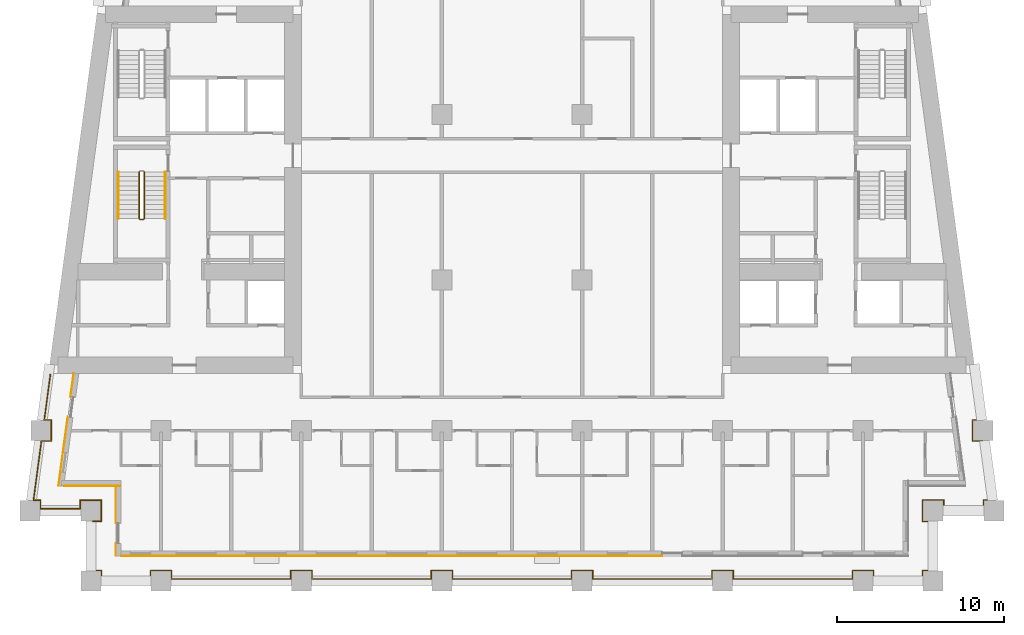
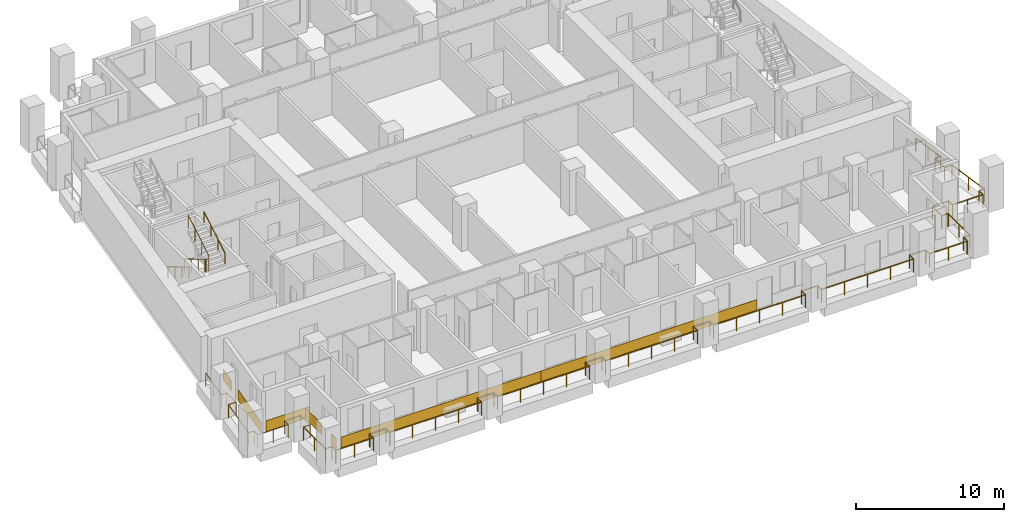
# One storey, part 10 of 14: 7 coverings, 5 railings.
"""IFC4 building model written with IfcOpenShell, lengths in metres."""

from ifc_helpers import new_model, si_unit, direction, frame, origin, origin_2d, place, context, subcontext, project, spatial, rectangle, circle, extrude, material, layer, layer_set, type_object, element, save


model = new_model("IFC4")

# Units and contexts
model_context = context("Model", 3, precision=1e-05, world=origin(), true_north=direction((0.0, 1.0)))
body_context = subcontext(model_context, "Body", "Model", "MODEL_VIEW")
ifc_project = project(units=[si_unit("LENGTHUNIT", "METRE"), si_unit("AREAUNIT", "SQUARE_METRE"), si_unit("VOLUMEUNIT", "CUBIC_METRE"), si_unit("PLANEANGLEUNIT", "RADIAN"), si_unit("MASSUNIT", "GRAM", prefix="KILO")], contexts=[model_context])

# Site, building, storey
site_placement = place(None, origin())
site = spatial("IfcSite", under=ifc_project, at=site_placement, CompositionType="ELEMENT")
building_placement = place(site_placement, origin())
building = spatial("IfcBuilding", under=site, at=building_placement, Name="Candeia Pilgrim Tower and Theatre", CompositionType="ELEMENT")
storey_placement = place(building_placement, frame((0.0, 0.0, 124.300048828125)))
storey = spatial("IfcBuildingStorey", under=building, at=storey_placement, Name="L29", CompositionType="ELEMENT", Elevation=124.300048828125)

# Railings
ifc_material_1 = material(Name="Stainless steel balustrade", Category="steel")
railing_type_1 = type_object("IfcRailingType", Name="G1 loggia guard 1100", PredefinedType="GUARDRAIL", material=ifc_material_1)
railing_1_placement = place(storey_placement, frame((88.320068359375, 101.570068359375, 0.0)))
element("IfcRailing", 1, at=railing_1_placement, inside=storey, type_object=railing_type_1, Name="Guard L29.1", PredefinedType="GUARDRAIL", context=body_context, shape_type="SweptSolid", body=[
    extrude(circle(Radius=0.02392578125, at=origin_2d()), frame((0.0, 0.0, 1.076171875), z_axis=(1.0, 0.0, 0.0), x_axis=(0.0, 1.0, 0.0)), (0.0, 0.0, 1.0), 0.510009765625),
    extrude(circle(Radius=0.02392578125, at=origin_2d()), frame((0.510009765625, 0.0, 1.076171875), z_axis=(0.0, 1.0, 0.0), x_axis=(-1.0, 0.0, 0.0)), (0.0, 0.0, 1.0), 1.260009765625),
    extrude(circle(Radius=0.02392578125, at=origin_2d()), frame((0.510009765625, 1.260009765625, 1.076171875), z_axis=(-1.0, 0.0, 0.0), x_axis=(0.0, -1.0, 0.0)), (0.0, 0.0, 1.0), 1.260009765625),
    extrude(circle(Radius=0.02392578125, at=origin_2d()), frame((-0.75, 1.260009765625, 1.076171875), z_axis=(0.0, -1.0, 0.0), x_axis=(1.0, 0.0, 0.0)), (0.0, 0.0, 1.0), 0.510009765625),
    extrude(circle(Radius=0.02392578125, at=origin_2d()), frame((-0.75, 0.75, 1.076171875), z_axis=(-1.0, 0.0, 0.0), x_axis=(0.0, -1.0, 0.0)), (0.0, 0.0, 1.0), 2.374755859375),
    extrude(circle(Radius=0.02392578125, at=origin_2d()), frame((-3.124755859375, 0.75, 1.076171875), z_axis=(0.0, 1.0, 0.0), x_axis=(-1.0, 0.0, 0.0)), (0.0, 0.0, 1.0), 0.510009765625),
    extrude(circle(Radius=0.02392578125, at=origin_2d()), frame((-3.124755859375, 1.260009765625, 1.076171875), z_axis=(-1.0, 0.0, 0.0), x_axis=(0.0, -1.0, 0.0)), (0.0, 0.0, 1.0), 0.424072265625),
    extrude(circle(Radius=0.02392578125, at=origin_2d()), frame((-3.548828125, 1.260009765625, 1.076171875), z_axis=(0.133417176173, 0.991059966451, 0.0), x_axis=(-0.991059966451, 0.133417176173, 0.0)), (0.0, 0.0, 1.0), 3.572021484375),
    extrude(circle(Radius=0.02392578125, at=origin_2d()), frame((-3.072265625, 4.800048828125, 1.076171875), z_axis=(1.0, 0.0, 0.0), x_axis=(0.0, 1.0, 0.0)), (0.0, 0.0, 1.0), 0.59375),
    extrude(circle(Radius=0.02392578125, at=origin_2d()), frame((-2.478515625, 4.800048828125, 1.076171875), z_axis=(0.0, 1.0, 0.0), x_axis=(-1.0, 0.0, 0.0)), (0.0, 0.0, 1.0), 1.259765625),
    extrude(circle(Radius=0.02392578125, at=origin_2d()), frame((-2.478515625, 6.059814453125, 1.076171875), z_axis=(-1.0, 0.0, 0.0), x_axis=(0.0, -1.0, 0.0)), (0.0, 0.0, 1.0), 0.424072265625),
    extrude(circle(Radius=0.02392578125, at=origin_2d()), frame((-2.902587890625, 6.059814453125, 1.076171875), z_axis=(0.1334220927, 0.991059304572, 0.0), x_axis=(-0.991059304572, 0.1334220927, 0.0)), (0.0, 0.0, 1.0), 2.744873046875),
    extrude(circle(Radius=0.02099609375, at=origin_2d()), origin(), (0.0, 0.0, 1.0), 1.052001953125),
    extrude(circle(Radius=0.02099609375, at=origin_2d()), frame((0.510009765625, 0.0, 0.0)), (0.0, 0.0, 1.0), 1.052001953125),
    extrude(circle(Radius=0.02099609375, at=origin_2d()), frame((0.510009765625, 1.260009765625, 0.0)), (0.0, 0.0, 1.0), 1.052001953125),
    extrude(circle(Radius=0.02099609375, at=origin_2d()), frame((-0.75, 1.260009765625, 0.0)), (0.0, 0.0, 1.0), 1.052001953125),
    extrude(circle(Radius=0.02099609375, at=origin_2d()), frame((-0.75, 0.75, 0.0)), (0.0, 0.0, 1.0), 1.052001953125),
    extrude(circle(Radius=0.02099609375, at=origin_2d()), frame((-1.9375, 0.75, 0.0)), (0.0, 0.0, 1.0), 1.052001953125),
    extrude(circle(Radius=0.02099609375, at=origin_2d()), frame((-3.124755859375, 0.75, 0.0)), (0.0, 0.0, 1.0), 1.052001953125),
    extrude(circle(Radius=0.02099609375, at=origin_2d()), frame((-3.124755859375, 1.260009765625, 0.0)), (0.0, 0.0, 1.0), 1.052001953125),
    extrude(circle(Radius=0.02099609375, at=origin_2d()), frame((-3.548828125, 1.260009765625, 0.0)), (0.0, 0.0, 1.0), 1.052001953125),
    extrude(circle(Radius=0.02099609375, at=origin_2d()), frame((-3.310546875, 3.030029296875, 0.0)), (0.0, 0.0, 1.0), 1.052001953125),
    extrude(circle(Radius=0.02099609375, at=origin_2d()), frame((-3.072265625, 4.800048828125, 0.0)), (0.0, 0.0, 1.0), 1.052001953125),
    extrude(circle(Radius=0.02099609375, at=origin_2d()), frame((-2.478515625, 4.800048828125, 0.0)), (0.0, 0.0, 1.0), 1.052001953125),
    extrude(circle(Radius=0.02099609375, at=origin_2d()), frame((-2.478515625, 6.059814453125, 0.0)), (0.0, 0.0, 1.0), 1.052001953125),
    extrude(circle(Radius=0.02099609375, at=origin_2d()), frame((-2.902587890625, 6.059814453125, 0.0)), (0.0, 0.0, 1.0), 1.052001953125),
    extrude(circle(Radius=0.02099609375, at=origin_2d()), frame((-2.719482421875, 7.419921875, 0.0)), (0.0, 0.0, 1.0), 1.052001953125),
    extrude(circle(Radius=0.02099609375, at=origin_2d()), frame((-2.536376953125, 8.780029296875, 0.0)), (0.0, 0.0, 1.0), 1.052001953125),
])
railing_2_placement = place(storey_placement, frame((141.016357421875, 110.35009765625, 0.0)))
element("IfcRailing", 2, at=railing_2_placement, inside=storey, type_object=railing_type_1, Name="Guard L29.4", PredefinedType="GUARDRAIL", context=body_context, shape_type="SweptSolid", body=[
    extrude(circle(Radius=0.02392578125, at=origin_2d()), frame((0.0, 0.0, 1.076171875), z_axis=(0.1334220927, -0.991059304572, 0.0), x_axis=(0.991059304572, 0.1334220927, 0.0)), (0.0, 0.0, 1.0), 2.744873046875),
    extrude(circle(Radius=0.02392578125, at=origin_2d()), frame((0.3662109375, -2.72021484375, 1.076171875), z_axis=(-1.0, 0.0, 0.0), x_axis=(0.0, -1.0, 0.0)), (0.0, 0.0, 1.0), 0.424072265625),
    extrude(circle(Radius=0.02392578125, at=origin_2d()), frame((-0.057861328125, -2.72021484375, 1.076171875), z_axis=(0.0, -1.0, 0.0), x_axis=(1.0, 0.0, 0.0)), (0.0, 0.0, 1.0), 1.259765625),
    extrude(circle(Radius=0.02392578125, at=origin_2d()), frame((-0.057861328125, -3.97998046875, 1.076171875), z_axis=(1.0, 0.0, 0.0), x_axis=(0.0, 1.0, 0.0)), (0.0, 0.0, 1.0), 0.59375),
    extrude(circle(Radius=0.02392578125, at=origin_2d()), frame((0.535888671875, -3.97998046875, 1.076171875), z_axis=(0.133417176173, -0.991059966451, 0.0), x_axis=(0.991059966451, 0.133417176173, 0.0)), (0.0, 0.0, 1.0), 3.572021484375),
    extrude(circle(Radius=0.02392578125, at=origin_2d()), frame((1.012451171875, -7.52001953125, 1.076171875), z_axis=(-1.0, 0.0, 0.0), x_axis=(0.0, -1.0, 0.0)), (0.0, 0.0, 1.0), 0.424072265625),
    extrude(circle(Radius=0.02392578125, at=origin_2d()), frame((0.58837890625, -7.52001953125, 1.076171875), z_axis=(0.0, -1.0, 0.0), x_axis=(1.0, 0.0, 0.0)), (0.0, 0.0, 1.0), 0.510009765625),
    extrude(circle(Radius=0.02392578125, at=origin_2d()), frame((0.58837890625, -8.030029296875, 1.076171875), z_axis=(-1.0, 0.0, 0.0), x_axis=(0.0, -1.0, 0.0)), (0.0, 0.0, 1.0), 2.374755859375),
    extrude(circle(Radius=0.02392578125, at=origin_2d()), frame((-1.786376953125, -8.030029296875, 1.076171875), z_axis=(0.0, 1.0, 0.0), x_axis=(-1.0, 0.0, 0.0)), (0.0, 0.0, 1.0), 0.510009765625),
    extrude(circle(Radius=0.02392578125, at=origin_2d()), frame((-1.786376953125, -7.52001953125, 1.076171875), z_axis=(-1.0, 0.0, 0.0), x_axis=(0.0, -1.0, 0.0)), (0.0, 0.0, 1.0), 1.260009765625),
    extrude(circle(Radius=0.02392578125, at=origin_2d()), frame((-3.04638671875, -7.52001953125, 1.076171875), z_axis=(0.0, -1.0, 0.0), x_axis=(1.0, 0.0, 0.0)), (0.0, 0.0, 1.0), 1.260009765625),
    extrude(circle(Radius=0.02392578125, at=origin_2d()), frame((-3.04638671875, -8.780029296875, 1.076171875), z_axis=(1.0, 0.0, 0.0), x_axis=(0.0, 1.0, 0.0)), (0.0, 0.0, 1.0), 0.510009765625),
    extrude(circle(Radius=0.02392578125, at=origin_2d()), frame((-2.536376953125, -8.780029296875, 1.076171875), z_axis=(0.0, -1.0, 0.0), x_axis=(1.0, 0.0, 0.0)), (0.0, 0.0, 1.0), 2.940185546875),
    extrude(circle(Radius=0.02392578125, at=origin_2d()), frame((-2.536376953125, -11.72021484375, 1.076171875), z_axis=(-1.0, 0.0, 0.0), x_axis=(0.0, -1.0, 0.0)), (0.0, 0.0, 1.0), 0.510009765625),
    extrude(circle(Radius=0.02392578125, at=origin_2d()), frame((-3.04638671875, -11.72021484375, 1.076171875), z_axis=(0.0, -1.0, 0.0), x_axis=(1.0, 0.0, 0.0)), (0.0, 0.0, 1.0), 0.509765625),
    extrude(circle(Radius=0.02392578125, at=origin_2d()), frame((-3.04638671875, -12.22998046875, 1.076171875), z_axis=(-1.0, 0.0, 0.0), x_axis=(0.0, -1.0, 0.0)), (0.0, 0.0, 1.0), 2.93994140625),
    extrude(circle(Radius=0.02392578125, at=origin_2d()), frame((-5.986328125, -12.22998046875, 1.076171875), z_axis=(0.0, 1.0, 0.0), x_axis=(-1.0, 0.0, 0.0)), (0.0, 0.0, 1.0), 0.509765625),
    extrude(circle(Radius=0.02392578125, at=origin_2d()), frame((-5.986328125, -11.72021484375, 1.076171875), z_axis=(-1.0, 0.0, 0.0), x_axis=(0.0, -1.0, 0.0)), (0.0, 0.0, 1.0), 1.260009765625),
    extrude(circle(Radius=0.02392578125, at=origin_2d()), frame((-7.246337890625, -11.72021484375, 1.076171875), z_axis=(0.0, -1.0, 0.0), x_axis=(1.0, 0.0, 0.0)), (0.0, 0.0, 1.0), 0.509765625),
    extrude(circle(Radius=0.02392578125, at=origin_2d()), frame((-7.246337890625, -12.22998046875, 1.076171875), z_axis=(-1.0, 0.0, 0.0), x_axis=(0.0, -1.0, 0.0)), (0.0, 0.0, 1.0), 7.14013671875),
    extrude(circle(Radius=0.02392578125, at=origin_2d()), frame((-14.386474609375, -12.22998046875, 1.076171875), z_axis=(0.0, 1.0, 0.0), x_axis=(-1.0, 0.0, 0.0)), (0.0, 0.0, 1.0), 0.509765625),
    extrude(circle(Radius=0.02392578125, at=origin_2d()), frame((-14.386474609375, -11.72021484375, 1.076171875), z_axis=(-1.0, 0.0, 0.0), x_axis=(0.0, -1.0, 0.0)), (0.0, 0.0, 1.0), 1.259765625),
    extrude(circle(Radius=0.02392578125, at=origin_2d()), frame((-15.646240234375, -11.72021484375, 1.076171875), z_axis=(0.0, -1.0, 0.0), x_axis=(1.0, 0.0, 0.0)), (0.0, 0.0, 1.0), 0.509765625),
    extrude(circle(Radius=0.02392578125, at=origin_2d()), frame((-15.646240234375, -12.22998046875, 1.076171875), z_axis=(-1.0, 0.0, 0.0), x_axis=(0.0, -1.0, 0.0)), (0.0, 0.0, 1.0), 7.14013671875),
    extrude(circle(Radius=0.02392578125, at=origin_2d()), frame((-22.786376953125, -12.22998046875, 1.076171875), z_axis=(0.0, 1.0, 0.0), x_axis=(-1.0, 0.0, 0.0)), (0.0, 0.0, 1.0), 0.509765625),
    extrude(circle(Radius=0.02392578125, at=origin_2d()), frame((-22.786376953125, -11.72021484375, 1.076171875), z_axis=(-1.0, 0.0, 0.0), x_axis=(0.0, -1.0, 0.0)), (0.0, 0.0, 1.0), 1.260009765625),
    extrude(circle(Radius=0.02392578125, at=origin_2d()), frame((-24.04638671875, -11.72021484375, 1.076171875), z_axis=(0.0, -1.0, 0.0), x_axis=(1.0, 0.0, 0.0)), (0.0, 0.0, 1.0), 0.509765625),
    extrude(circle(Radius=0.02392578125, at=origin_2d()), frame((-24.04638671875, -12.22998046875, 1.076171875), z_axis=(-1.0, 0.0, 0.0), x_axis=(0.0, -1.0, 0.0)), (0.0, 0.0, 1.0), 7.139892578125),
    extrude(circle(Radius=0.02392578125, at=origin_2d()), frame((-31.186279296875, -12.22998046875, 1.076171875), z_axis=(0.0, 1.0, 0.0), x_axis=(-1.0, 0.0, 0.0)), (0.0, 0.0, 1.0), 0.509765625),
    extrude(circle(Radius=0.02392578125, at=origin_2d()), frame((-31.186279296875, -11.72021484375, 1.076171875), z_axis=(-1.0, 0.0, 0.0), x_axis=(0.0, -1.0, 0.0)), (0.0, 0.0, 1.0), 1.260009765625),
    extrude(circle(Radius=0.02392578125, at=origin_2d()), frame((-32.4462890625, -11.72021484375, 1.076171875), z_axis=(0.0, -1.0, 0.0), x_axis=(1.0, 0.0, 0.0)), (0.0, 0.0, 1.0), 0.509765625),
    extrude(circle(Radius=0.02392578125, at=origin_2d()), frame((-32.4462890625, -12.22998046875, 1.076171875), z_axis=(-1.0, 0.0, 0.0), x_axis=(0.0, -1.0, 0.0)), (0.0, 0.0, 1.0), 7.14013671875),
    extrude(circle(Radius=0.02392578125, at=origin_2d()), frame((-39.58642578125, -12.22998046875, 1.076171875), z_axis=(0.0, 1.0, 0.0), x_axis=(-1.0, 0.0, 0.0)), (0.0, 0.0, 1.0), 0.509765625),
    extrude(circle(Radius=0.02392578125, at=origin_2d()), frame((-39.58642578125, -11.72021484375, 1.076171875), z_axis=(-1.0, 0.0, 0.0), x_axis=(0.0, -1.0, 0.0)), (0.0, 0.0, 1.0), 1.260009765625),
    extrude(circle(Radius=0.02392578125, at=origin_2d()), frame((-40.846435546875, -11.72021484375, 1.076171875), z_axis=(0.0, -1.0, 0.0), x_axis=(1.0, 0.0, 0.0)), (0.0, 0.0, 1.0), 0.509765625),
    extrude(circle(Radius=0.02392578125, at=origin_2d()), frame((-40.846435546875, -12.22998046875, 1.076171875), z_axis=(-1.0, 0.0, 0.0), x_axis=(0.0, -1.0, 0.0)), (0.0, 0.0, 1.0), 7.139892578125),
    extrude(circle(Radius=0.02392578125, at=origin_2d()), frame((-47.986328125, -12.22998046875, 1.076171875), z_axis=(0.0, 1.0, 0.0), x_axis=(-1.0, 0.0, 0.0)), (0.0, 0.0, 1.0), 0.509765625),
    extrude(circle(Radius=0.02392578125, at=origin_2d()), frame((-47.986328125, -11.72021484375, 1.076171875), z_axis=(-1.0, 0.0, 0.0), x_axis=(0.0, -1.0, 0.0)), (0.0, 0.0, 1.0), 1.260009765625),
    extrude(circle(Radius=0.02392578125, at=origin_2d()), frame((-49.246337890625, -11.72021484375, 1.076171875), z_axis=(0.0, -1.0, 0.0), x_axis=(1.0, 0.0, 0.0)), (0.0, 0.0, 1.0), 0.509765625),
    extrude(circle(Radius=0.02392578125, at=origin_2d()), frame((-49.246337890625, -12.22998046875, 1.076171875), z_axis=(-1.0, 0.0, 0.0), x_axis=(0.0, -1.0, 0.0)), (0.0, 0.0, 1.0), 2.93994140625),
    extrude(circle(Radius=0.02392578125, at=origin_2d()), frame((-52.186279296875, -12.22998046875, 1.076171875), z_axis=(0.0, 1.0, 0.0), x_axis=(-1.0, 0.0, 0.0)), (0.0, 0.0, 1.0), 0.509765625),
    extrude(circle(Radius=0.02392578125, at=origin_2d()), frame((-52.186279296875, -11.72021484375, 1.076171875), z_axis=(-1.0, 0.0, 0.0), x_axis=(0.0, -1.0, 0.0)), (0.0, 0.0, 1.0), 0.510009765625),
    extrude(circle(Radius=0.02392578125, at=origin_2d()), frame((-52.6962890625, -11.72021484375, 1.076171875), z_axis=(0.0, 1.0, 0.0), x_axis=(-1.0, 0.0, 0.0)), (0.0, 0.0, 1.0), 2.940185546875),
    extrude(circle(Radius=0.02099609375, at=origin_2d()), origin(), (0.0, 0.0, 1.0), 1.052001953125),
    extrude(circle(Radius=0.02099609375, at=origin_2d()), frame((0.18310546875, -1.360107421875, 0.0)), (0.0, 0.0, 1.0), 1.052001953125),
    extrude(circle(Radius=0.02099609375, at=origin_2d()), frame((0.3662109375, -2.72021484375, 0.0)), (0.0, 0.0, 1.0), 1.052001953125),
    extrude(circle(Radius=0.02099609375, at=origin_2d()), frame((-0.057861328125, -2.72021484375, 0.0)), (0.0, 0.0, 1.0), 1.052001953125),
    extrude(circle(Radius=0.02099609375, at=origin_2d()), frame((-0.057861328125, -3.97998046875, 0.0)), (0.0, 0.0, 1.0), 1.052001953125),
    extrude(circle(Radius=0.02099609375, at=origin_2d()), frame((0.535888671875, -3.97998046875, 0.0)), (0.0, 0.0, 1.0), 1.052001953125),
    extrude(circle(Radius=0.02099609375, at=origin_2d()), frame((0.774169921875, -5.75, 0.0)), (0.0, 0.0, 1.0), 1.052001953125),
    extrude(circle(Radius=0.02099609375, at=origin_2d()), frame((1.012451171875, -7.52001953125, 0.0)), (0.0, 0.0, 1.0), 1.052001953125),
    extrude(circle(Radius=0.02099609375, at=origin_2d()), frame((0.58837890625, -7.52001953125, 0.0)), (0.0, 0.0, 1.0), 1.052001953125),
    extrude(circle(Radius=0.02099609375, at=origin_2d()), frame((0.58837890625, -8.030029296875, 0.0)), (0.0, 0.0, 1.0), 1.052001953125),
    extrude(circle(Radius=0.02099609375, at=origin_2d()), frame((-0.59912109375, -8.030029296875, 0.0)), (0.0, 0.0, 1.0), 1.052001953125),
    extrude(circle(Radius=0.02099609375, at=origin_2d()), frame((-1.786376953125, -8.030029296875, 0.0)), (0.0, 0.0, 1.0), 1.052001953125),
    extrude(circle(Radius=0.02099609375, at=origin_2d()), frame((-1.786376953125, -7.52001953125, 0.0)), (0.0, 0.0, 1.0), 1.052001953125),
    extrude(circle(Radius=0.02099609375, at=origin_2d()), frame((-3.04638671875, -7.52001953125, 0.0)), (0.0, 0.0, 1.0), 1.052001953125),
    extrude(circle(Radius=0.02099609375, at=origin_2d()), frame((-3.04638671875, -8.780029296875, 0.0)), (0.0, 0.0, 1.0), 1.052001953125),
    extrude(circle(Radius=0.02099609375, at=origin_2d()), frame((-2.536376953125, -8.780029296875, 0.0)), (0.0, 0.0, 1.0), 1.052001953125),
    extrude(circle(Radius=0.02099609375, at=origin_2d()), frame((-2.536376953125, -10.25, 0.0)), (0.0, 0.0, 1.0), 1.052001953125),
    extrude(circle(Radius=0.02099609375, at=origin_2d()), frame((-2.536376953125, -11.72021484375, 0.0)), (0.0, 0.0, 1.0), 1.052001953125),
    extrude(circle(Radius=0.02099609375, at=origin_2d()), frame((-3.04638671875, -11.72021484375, 0.0)), (0.0, 0.0, 1.0), 1.052001953125),
    extrude(circle(Radius=0.02099609375, at=origin_2d()), frame((-3.04638671875, -12.22998046875, 0.0)), (0.0, 0.0, 1.0), 1.052001953125),
    extrude(circle(Radius=0.02099609375, at=origin_2d()), frame((-4.516357421875, -12.22998046875, 0.0)), (0.0, 0.0, 1.0), 1.052001953125),
    extrude(circle(Radius=0.02099609375, at=origin_2d()), frame((-5.986328125, -12.22998046875, 0.0)), (0.0, 0.0, 1.0), 1.052001953125),
    extrude(circle(Radius=0.02099609375, at=origin_2d()), frame((-5.986328125, -11.72021484375, 0.0)), (0.0, 0.0, 1.0), 1.052001953125),
    extrude(circle(Radius=0.02099609375, at=origin_2d()), frame((-7.246337890625, -11.72021484375, 0.0)), (0.0, 0.0, 1.0), 1.052001953125),
    extrude(circle(Radius=0.02099609375, at=origin_2d()), frame((-7.246337890625, -12.22998046875, 0.0)), (0.0, 0.0, 1.0), 1.052001953125),
    extrude(circle(Radius=0.02099609375, at=origin_2d()), frame((-9.03125, -12.22998046875, 0.0)), (0.0, 0.0, 1.0), 1.052001953125),
    extrude(circle(Radius=0.02099609375, at=origin_2d()), frame((-10.81640625, -12.22998046875, 0.0)), (0.0, 0.0, 1.0), 1.052001953125),
    extrude(circle(Radius=0.02099609375, at=origin_2d()), frame((-12.6015625, -12.22998046875, 0.0)), (0.0, 0.0, 1.0), 1.052001953125),
    extrude(circle(Radius=0.02099609375, at=origin_2d()), frame((-14.386474609375, -12.22998046875, 0.0)), (0.0, 0.0, 1.0), 1.052001953125),
    extrude(circle(Radius=0.02099609375, at=origin_2d()), frame((-14.386474609375, -11.72021484375, 0.0)), (0.0, 0.0, 1.0), 1.052001953125),
    extrude(circle(Radius=0.02099609375, at=origin_2d()), frame((-15.646240234375, -11.72021484375, 0.0)), (0.0, 0.0, 1.0), 1.052001953125),
    extrude(circle(Radius=0.02099609375, at=origin_2d()), frame((-15.646240234375, -12.22998046875, 0.0)), (0.0, 0.0, 1.0), 1.052001953125),
    extrude(circle(Radius=0.02099609375, at=origin_2d()), frame((-17.43115234375, -12.22998046875, 0.0)), (0.0, 0.0, 1.0), 1.052001953125),
    extrude(circle(Radius=0.02099609375, at=origin_2d()), frame((-19.21630859375, -12.22998046875, 0.0)), (0.0, 0.0, 1.0), 1.052001953125),
    extrude(circle(Radius=0.02099609375, at=origin_2d()), frame((-21.00146484375, -12.22998046875, 0.0)), (0.0, 0.0, 1.0), 1.052001953125),
    extrude(circle(Radius=0.02099609375, at=origin_2d()), frame((-22.786376953125, -12.22998046875, 0.0)), (0.0, 0.0, 1.0), 1.052001953125),
    extrude(circle(Radius=0.02099609375, at=origin_2d()), frame((-22.786376953125, -11.72021484375, 0.0)), (0.0, 0.0, 1.0), 1.052001953125),
    extrude(circle(Radius=0.02099609375, at=origin_2d()), frame((-24.04638671875, -11.72021484375, 0.0)), (0.0, 0.0, 1.0), 1.052001953125),
    extrude(circle(Radius=0.02099609375, at=origin_2d()), frame((-24.04638671875, -12.22998046875, 0.0)), (0.0, 0.0, 1.0), 1.052001953125),
    extrude(circle(Radius=0.02099609375, at=origin_2d()), frame((-25.831298828125, -12.22998046875, 0.0)), (0.0, 0.0, 1.0), 1.052001953125),
    extrude(circle(Radius=0.02099609375, at=origin_2d()), frame((-27.6162109375, -12.22998046875, 0.0)), (0.0, 0.0, 1.0), 1.052001953125),
    extrude(circle(Radius=0.02099609375, at=origin_2d()), frame((-29.4013671875, -12.22998046875, 0.0)), (0.0, 0.0, 1.0), 1.052001953125),
    extrude(circle(Radius=0.02099609375, at=origin_2d()), frame((-31.186279296875, -12.22998046875, 0.0)), (0.0, 0.0, 1.0), 1.052001953125),
    extrude(circle(Radius=0.02099609375, at=origin_2d()), frame((-31.186279296875, -11.72021484375, 0.0)), (0.0, 0.0, 1.0), 1.052001953125),
    extrude(circle(Radius=0.02099609375, at=origin_2d()), frame((-32.4462890625, -11.72021484375, 0.0)), (0.0, 0.0, 1.0), 1.052001953125),
    extrude(circle(Radius=0.02099609375, at=origin_2d()), frame((-32.4462890625, -12.22998046875, 0.0)), (0.0, 0.0, 1.0), 1.052001953125),
    extrude(circle(Radius=0.02099609375, at=origin_2d()), frame((-34.2314453125, -12.22998046875, 0.0)), (0.0, 0.0, 1.0), 1.052001953125),
    extrude(circle(Radius=0.02099609375, at=origin_2d()), frame((-36.016357421875, -12.22998046875, 0.0)), (0.0, 0.0, 1.0), 1.052001953125),
    extrude(circle(Radius=0.02099609375, at=origin_2d()), frame((-37.80126953125, -12.22998046875, 0.0)), (0.0, 0.0, 1.0), 1.052001953125),
    extrude(circle(Radius=0.02099609375, at=origin_2d()), frame((-39.58642578125, -12.22998046875, 0.0)), (0.0, 0.0, 1.0), 1.052001953125),
    extrude(circle(Radius=0.02099609375, at=origin_2d()), frame((-39.58642578125, -11.72021484375, 0.0)), (0.0, 0.0, 1.0), 1.052001953125),
    extrude(circle(Radius=0.02099609375, at=origin_2d()), frame((-40.846435546875, -11.72021484375, 0.0)), (0.0, 0.0, 1.0), 1.052001953125),
    extrude(circle(Radius=0.02099609375, at=origin_2d()), frame((-40.846435546875, -12.22998046875, 0.0)), (0.0, 0.0, 1.0), 1.052001953125),
    extrude(circle(Radius=0.02099609375, at=origin_2d()), frame((-42.63134765625, -12.22998046875, 0.0)), (0.0, 0.0, 1.0), 1.052001953125),
    extrude(circle(Radius=0.02099609375, at=origin_2d()), frame((-44.41650390625, -12.22998046875, 0.0)), (0.0, 0.0, 1.0), 1.052001953125),
    extrude(circle(Radius=0.02099609375, at=origin_2d()), frame((-46.201416015625, -12.22998046875, 0.0)), (0.0, 0.0, 1.0), 1.052001953125),
    extrude(circle(Radius=0.02099609375, at=origin_2d()), frame((-47.986328125, -12.22998046875, 0.0)), (0.0, 0.0, 1.0), 1.052001953125),
    extrude(circle(Radius=0.02099609375, at=origin_2d()), frame((-47.986328125, -11.72021484375, 0.0)), (0.0, 0.0, 1.0), 1.052001953125),
    extrude(circle(Radius=0.02099609375, at=origin_2d()), frame((-49.246337890625, -11.72021484375, 0.0)), (0.0, 0.0, 1.0), 1.052001953125),
    extrude(circle(Radius=0.02099609375, at=origin_2d()), frame((-49.246337890625, -12.22998046875, 0.0)), (0.0, 0.0, 1.0), 1.052001953125),
    extrude(circle(Radius=0.02099609375, at=origin_2d()), frame((-50.71630859375, -12.22998046875, 0.0)), (0.0, 0.0, 1.0), 1.052001953125),
    extrude(circle(Radius=0.02099609375, at=origin_2d()), frame((-52.186279296875, -12.22998046875, 0.0)), (0.0, 0.0, 1.0), 1.052001953125),
    extrude(circle(Radius=0.02099609375, at=origin_2d()), frame((-52.186279296875, -11.72021484375, 0.0)), (0.0, 0.0, 1.0), 1.052001953125),
    extrude(circle(Radius=0.02099609375, at=origin_2d()), frame((-52.6962890625, -11.72021484375, 0.0)), (0.0, 0.0, 1.0), 1.052001953125),
    extrude(circle(Radius=0.02099609375, at=origin_2d()), frame((-52.6962890625, -10.25, 0.0)), (0.0, 0.0, 1.0), 1.052001953125),
    extrude(circle(Radius=0.02099609375, at=origin_2d()), frame((-52.6962890625, -8.780029296875, 0.0)), (0.0, 0.0, 1.0), 1.052001953125),
])

# Coverings
ifc_material_2 = material(Name="Glazed ceramic tile red")
ifc_layer_1 = layer(ifc_material_2, 0.02001953125)
ifc_layer_set_1 = layer_set([ifc_layer_1], Name="Glazed ceramic tile red")
covering_type_1 = type_object("IfcCoveringType", Name="Glazed ceramic tile red", PredefinedType="CLADDING", material=ifc_layer_set_1)
covering_1_placement = place(storey_placement, frame((97.81005859375, 99.489990234375, 0.0), z_axis=(0.0, 0.0, 1.0), x_axis=(1.0, 0.0, 0.0)))
element("IfcCovering", 3, at=covering_1_placement, inside=storey, type_object=covering_type_1, Name="Tile cladding red L29", PredefinedType="CLADDING", context=body_context, shape_type="SweptSolid", body=[
    extrude(rectangle(XDim=15.580078125, YDim=0.02001953125, at=origin_2d()), origin(), (0.0, 0.0, 1.0), 0.89990234375),
])
covering_2_placement = place(storey_placement, frame((87.0810546875, 109.71875, 0.0), z_axis=(0.0, 0.0, 1.0), x_axis=(-0.133412012145, -0.991060661622, 0.0)))
element("IfcCovering", 4, at=covering_2_placement, inside=storey, type_object=covering_type_1, Name="Tile cladding red L29", PredefinedType="CLADDING", context=body_context, shape_type="SweptSolid", body=[
    extrude(rectangle(XDim=1.41796875, YDim=0.02001953125, at=origin_2d()), origin(), (0.0, 0.0, 1.0), 0.89990234375),
])
covering_3_placement = place(storey_placement, frame((86.548583984375, 105.763916015625, 0.0), z_axis=(0.0, 0.0, 1.0), x_axis=(-0.133412012145, -0.991060661622, 0.0)))
element("IfcCovering", 5, at=covering_3_placement, inside=storey, type_object=covering_type_1, Name="Tile cladding red L29", PredefinedType="CLADDING", context=body_context, shape_type="SweptSolid", body=[
    extrude(rectangle(XDim=4.16259765625, YDim=0.02001953125, at=origin_2d()), origin(), (0.0, 0.0, 1.0), 0.89990234375),
])
covering_4_placement = place(storey_placement, frame((88.311279296875, 103.68994140625, 0.0), z_axis=(0.0, 0.0, 1.0), x_axis=(1.0, 0.0, 0.0)))
element("IfcCovering", 6, at=covering_4_placement, inside=storey, type_object=covering_type_1, Name="Tile cladding red L29", PredefinedType="CLADDING", context=body_context, shape_type="SweptSolid", body=[
    extrude(rectangle(XDim=3.377685546875, YDim=0.02001953125, at=origin_2d()), origin(), (0.0, 0.0, 1.0), 0.89990234375),
])
covering_5_placement = place(storey_placement, frame((89.68994140625, 102.56494140625, 0.0), z_axis=(0.0, 0.0, 1.0), x_axis=(0.0, -1.0, 0.0)))
element("IfcCovering", 7, at=covering_5_placement, inside=storey, type_object=covering_type_1, Name="Tile cladding red L29", PredefinedType="CLADDING", context=body_context, shape_type="SweptSolid", body=[
    extrude(rectangle(XDim=2.22998046875, YDim=0.02001953125, at=origin_2d()), origin(), (0.0, 0.0, 1.0), 0.89990234375),
])
covering_6_placement = place(storey_placement, frame((89.68994140625, 99.875, 0.0), z_axis=(0.0, 0.0, 1.0), x_axis=(0.0, -1.0, 0.0)))
element("IfcCovering", 8, at=covering_6_placement, inside=storey, type_object=covering_type_1, Name="Tile cladding red L29", PredefinedType="CLADDING", context=body_context, shape_type="SweptSolid", body=[
    extrude(rectangle(XDim=0.75, YDim=0.02001953125, at=origin_2d()), origin(), (0.0, 0.0, 1.0), 0.89990234375),
])
ifc_material_3 = material(Name="Glazed ceramic tile rust")
ifc_layer_2 = layer(ifc_material_3, 0.02001953125)
ifc_layer_set_2 = layer_set([ifc_layer_2], Name="Glazed ceramic tile rust")
covering_type_2 = type_object("IfcCoveringType", Name="Glazed ceramic tile rust", PredefinedType="CLADDING", material=ifc_layer_set_2)
covering_7_placement = place(storey_placement, frame((114.0, 99.489990234375, 0.0), z_axis=(0.0, 0.0, 1.0), x_axis=(1.0, 0.0, 0.0)))
element("IfcCovering", 9, at=covering_7_placement, inside=storey, type_object=covering_type_2, Name="Tile cladding rust L29", PredefinedType="CLADDING", context=body_context, shape_type="SweptSolid", body=[
    extrude(rectangle(XDim=16.800048828125, YDim=0.02001953125, at=origin_2d()), origin(), (0.0, 0.0, 1.0), 0.89990234375),
])

# Railings
railing_type_2 = type_object("IfcRailingType", Name="RL-GUARD-1100", PredefinedType="GUARDRAIL", material=ifc_material_1)
railing_3_placement = place(storey_placement, frame((91.10205078125, 122.47509765625, 0.168212890625)))
element("IfcRailing", 10, at=railing_3_placement, inside=storey, type_object=railing_type_2, Name="L29 ST1 stair guard 1", PredefinedType="GUARDRAIL", context=body_context, shape_type="SweptSolid", body=[
    extrude(circle(Radius=0.02392578125, at=origin_2d()), frame((0.0, 0.0, 1.076171875), z_axis=(0.0, -0.857275202839, 0.514858452973), x_axis=(1.0, 0.0, 0.0)), (0.0, 0.0, 1.0), 3.26611328125),
    extrude(circle(Radius=0.02392578125, at=origin_2d()), frame((0.0, -2.800048828125, 2.7578125), z_axis=(0.707106781187, -0.707106781187, 0.0), x_axis=(0.707106781187, 0.707106781187, 0.0)), (0.0, 0.0, 1.0), 0.07080078125),
    extrude(circle(Radius=0.02392578125, at=origin_2d()), frame((0.050048828125, -2.85009765625, 2.7578125), z_axis=(1.0, 0.0, 0.0), x_axis=(0.0, 1.0, 0.0)), (0.0, 0.0, 1.0), 0.199951171875),
    extrude(circle(Radius=0.02392578125, at=origin_2d()), frame((0.25, -2.85009765625, 2.7578125), z_axis=(0.274243871929, 0.274243871929, 0.92172696468), x_axis=(-0.707106781187, 0.707106781187, 0.0)), (0.0, 0.0, 1.0), 0.1826171875),
    extrude(circle(Radius=0.02392578125, at=origin_2d()), frame((0.300048828125, -2.800048828125, 2.92578125), z_axis=(0.0, 0.857242210791, 0.514913383045), x_axis=(-1.0, 0.0, 0.0)), (0.0, 0.0, 1.0), 3.266357421875),
    extrude(circle(Radius=0.02099609375, at=origin_2d()), origin(), (0.0, 0.0, 1.0), 1.052001953125),
    extrude(circle(Radius=0.02099609375, at=origin_2d()), frame((0.0, -0.933349609375, 0.560546875)), (0.0, 0.0, 1.0), 1.052001953125),
    extrude(circle(Radius=0.02099609375, at=origin_2d()), frame((0.0, -1.86669921875, 1.12109375)), (0.0, 0.0, 1.0), 1.052001953125),
    extrude(circle(Radius=0.02099609375, at=origin_2d()), frame((0.0, -2.800048828125, 1.681640625)), (0.0, 0.0, 1.0), 1.052001953125),
    extrude(circle(Radius=0.02099609375, at=origin_2d()), frame((0.050048828125, -2.85009765625, 1.681640625)), (0.0, 0.0, 1.0), 1.052001953125),
    extrude(circle(Radius=0.02099609375, at=origin_2d()), frame((0.25, -2.85009765625, 1.681640625)), (0.0, 0.0, 1.0), 1.052001953125),
    extrude(circle(Radius=0.02099609375, at=origin_2d()), frame((0.300048828125, -2.800048828125, 1.849853515625)), (0.0, 0.0, 1.0), 1.052001953125),
    extrude(circle(Radius=0.02099609375, at=origin_2d()), frame((0.300048828125, -1.86669921875, 2.410400390625)), (0.0, 0.0, 1.0), 1.052001953125),
    extrude(circle(Radius=0.02099609375, at=origin_2d()), frame((0.300048828125, -0.933349609375, 2.97119140625)), (0.0, 0.0, 1.0), 1.052001953125),
    extrude(circle(Radius=0.02099609375, at=origin_2d()), frame((0.300048828125, 0.0, 3.53173828125)), (0.0, 0.0, 1.0), 1.052001953125),
])
ifc_material_4 = material(Name="Stainless steel handrail", Category="steel")
railing_type_3 = type_object("IfcRailingType", Name="RL-HANDRAIL-900", PredefinedType="HANDRAIL", material=ifc_material_4)
railing_4_placement = place(storey_placement, frame((89.85205078125, 122.47509765625, 0.168212890625)))
element("IfcRailing", 11, at=railing_4_placement, inside=storey, type_object=railing_type_3, Name="L29 ST1 stair handrail 1", PredefinedType="HANDRAIL", context=body_context, shape_type="SweptSolid", body=[
    extrude(circle(Radius=0.02392578125, at=origin_2d()), frame((0.0, 0.0, 0.8759765625), z_axis=(0.0, -0.857275202839, 0.514858452973), x_axis=(1.0, 0.0, 0.0)), (0.0, 0.0, 1.0), 3.26611328125),
    extrude(circle(Radius=0.02099609375, at=origin_2d()), origin(), (0.0, 0.0, 1.0), 0.851806640625),
    extrude(circle(Radius=0.02099609375, at=origin_2d()), frame((0.0, -0.933349609375, 0.560546875)), (0.0, 0.0, 1.0), 0.851806640625),
    extrude(circle(Radius=0.02099609375, at=origin_2d()), frame((0.0, -1.86669921875, 1.12109375)), (0.0, 0.0, 1.0), 0.851806640625),
    extrude(circle(Radius=0.02099609375, at=origin_2d()), frame((0.0, -2.800048828125, 1.681640625)), (0.0, 0.0, 1.0), 0.851806640625),
])
railing_5_placement = place(storey_placement, frame((92.652099609375, 119.675048828125, 2.01806640625)))
element("IfcRailing", 12, at=railing_5_placement, inside=storey, type_object=railing_type_3, Name="L29 ST1 stair handrail 2", PredefinedType="HANDRAIL", context=body_context, shape_type="SweptSolid", body=[
    extrude(circle(Radius=0.02392578125, at=origin_2d()), frame((0.0, 0.0, 0.8759765625), z_axis=(0.0, 0.857242210791, 0.514913383045), x_axis=(-1.0, 0.0, 0.0)), (0.0, 0.0, 1.0), 3.266357421875),
    extrude(circle(Radius=0.02099609375, at=origin_2d()), origin(), (0.0, 0.0, 1.0), 0.851806640625),
    extrude(circle(Radius=0.02099609375, at=origin_2d()), frame((0.0, 0.933349609375, 0.560546875)), (0.0, 0.0, 1.0), 0.851806640625),
    extrude(circle(Radius=0.02099609375, at=origin_2d()), frame((0.0, 1.86669921875, 1.121337890625)), (0.0, 0.0, 1.0), 0.851806640625),
    extrude(circle(Radius=0.02099609375, at=origin_2d()), frame((0.0, 2.800048828125, 1.681884765625)), (0.0, 0.0, 1.0), 0.851806640625),
])

save(model, "model.ifc")
